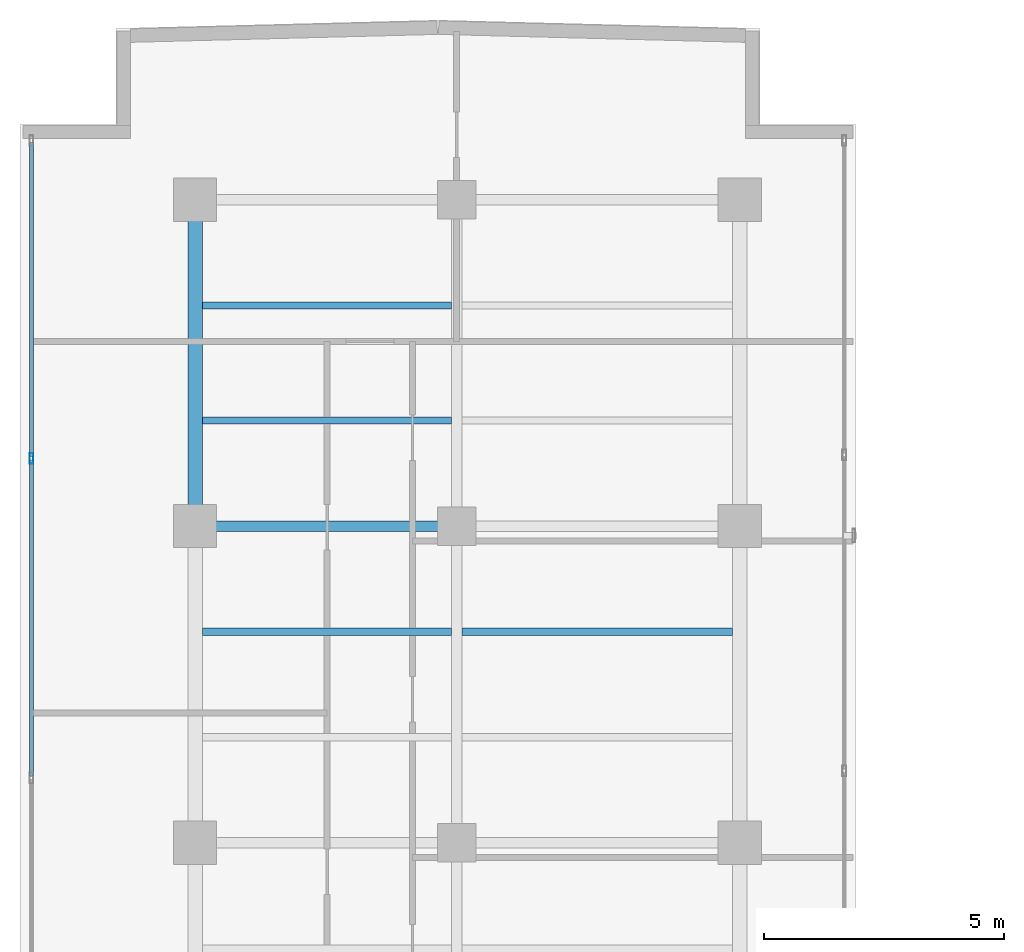
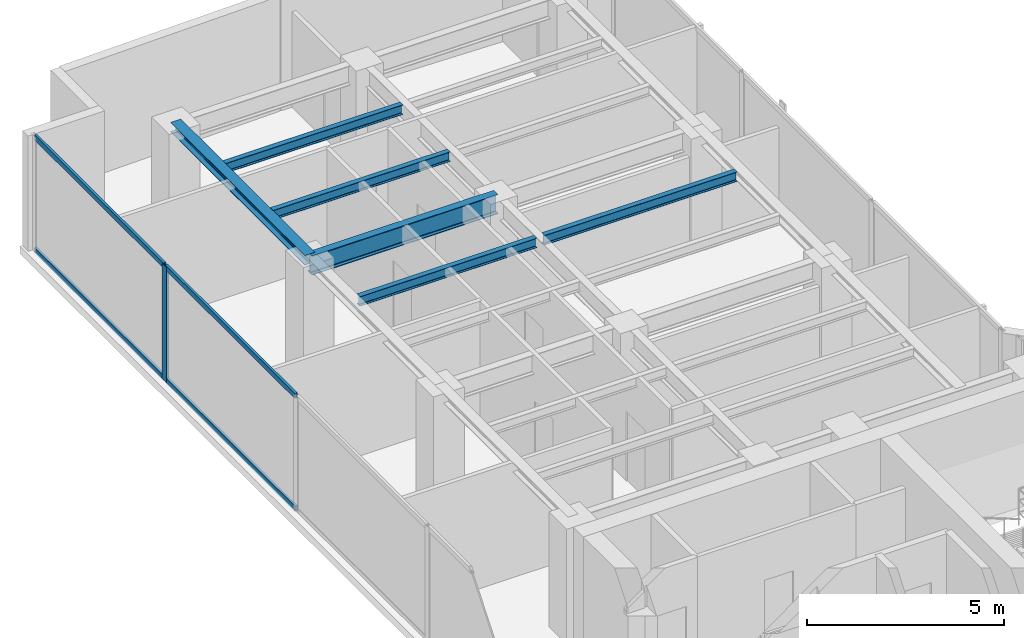
# One storey, part 13 of 22: 6 beams, 5 members, 1 element without a shape of its own.
"""IFC4 building model written with IfcOpenShell, lengths in metres."""

from ifc_helpers import new_model, si_unit, direction, frame, origin, origin_with_axes, origin_2d, place, context, subcontext, project, spatial, hollow_rectangle, i_section, extrude, source, transform, mapped, material, layer, layer_set, material_profile, profile_set, type_object, element, aggregate, save


model = new_model("IFC4")

# Units and contexts
model_context = context("Model", 3, precision=1e-05, world=origin(), true_north=direction((0.0, 1.0)))
body_context = subcontext(model_context, "Body", "Model", "MODEL_VIEW")
ifc_project = project(units=[si_unit("LENGTHUNIT", "METRE"), si_unit("AREAUNIT", "SQUARE_METRE"), si_unit("VOLUMEUNIT", "CUBIC_METRE"), si_unit("PLANEANGLEUNIT", "RADIAN"), si_unit("MASSUNIT", "GRAM", prefix="KILO")], contexts=[model_context])

# Site, building, storey
site_placement = place(None, origin())
site = spatial("IfcSite", under=ifc_project, at=site_placement, CompositionType="ELEMENT")
building_placement = place(site_placement, origin())
building = spatial("IfcBuilding", under=site, at=building_placement, Name="Kolvaren Waterfront Exchange", CompositionType="ELEMENT")
storey_placement = place(building_placement, frame((0.0, 0.0, 327.39990234375)))
storey = spatial("IfcBuildingStorey", under=building, at=storey_placement, Name="L84", CompositionType="ELEMENT", Elevation=327.39990234375)

# Beams
ifc_material_1 = material(Name="Steel S355", Category="steel")
ifc_material_profile_1 = material_profile(ifc_material_1, i_section(OverallWidth=0.300048828125, OverallDepth=0.300048828125, WebThickness=0.010986328125, FlangeThickness=0.01904296875, FilletRadius=0.027099609375, at=origin_2d()), Name="HEB300")
ifc_profile_set_1 = profile_set([ifc_material_profile_1], Name="Steel S355")
beam_type_1 = type_object("IfcBeamType", Name="STR-BM-HEB300", PredefinedType="SPANDREL", material=ifc_profile_set_1)
beam_1_placement = place(storey_placement, frame((7.449951171875, 37.800048828125, 3.41015625), z_axis=(0.0, 1.0, 0.0), x_axis=(-1.0, 0.0, 0.0)))
element("IfcBeam", 1, at=beam_1_placement, inside=storey, type_object=beam_type_1, Name="L84 north-arm edge beam 3", PredefinedType="SPANDREL", context=body_context, shape_type="SweptSolid", body=[
    extrude(i_section(OverallWidth=0.300048828125, OverallDepth=0.300048828125, WebThickness=0.010986328125, FlangeThickness=0.01904296875, FilletRadius=0.027099609375, at=origin_2d()), origin(), (0.0, 0.0, 1.0), 6.800048828125),
])
ifc_material_profile_2 = material_profile(ifc_material_1, i_section(OverallWidth=0.14990234375, OverallDepth=0.300048828125, WebThickness=0.007080078125, FlangeThickness=0.0107421875, FilletRadius=0.014892578125, at=origin_2d()), Name="IPE300")
ifc_profile_set_2 = profile_set([ifc_material_profile_2], Name="Steel S355")
beam_type_2 = type_object("IfcBeamType", Name="STR-BM-IPE300", PredefinedType="JOIST", material=ifc_profile_set_2)
beam_2_placement = place(storey_placement, frame((7.60205078125, 35.60009765625, 3.41015625), z_axis=(1.0, 0.0, 0.0), x_axis=(0.0, 1.0, 0.0)))
element("IfcBeam", 2, at=beam_2_placement, inside=storey, type_object=beam_type_2, Name="L84 north-arm composite joist 4A", PredefinedType="JOIST", context=body_context, shape_type="SweptSolid", body=[
    extrude(i_section(OverallWidth=0.14990234375, OverallDepth=0.300048828125, WebThickness=0.007080078125, FlangeThickness=0.0107421875, FilletRadius=0.014892578125, at=origin_2d()), origin(), (0.0, 0.0, 1.0), 5.18603515625),
])
beam_3_placement = place(storey_placement, frame((13.011962890625, 35.60009765625, 3.41015625), z_axis=(1.0, 0.0, 0.0), x_axis=(0.0, 1.0, 0.0)))
element("IfcBeam", 3, at=beam_3_placement, inside=storey, type_object=beam_type_2, Name="L84 north-arm composite joist 4B", PredefinedType="JOIST", context=body_context, shape_type="SweptSolid", body=[
    extrude(i_section(OverallWidth=0.14990234375, OverallDepth=0.300048828125, WebThickness=0.007080078125, FlangeThickness=0.0107421875, FilletRadius=0.014892578125, at=origin_2d()), origin(), (0.0, 0.0, 1.0), 5.635986328125),
])
for number, where, z_axis, x_axis, name in (
    (4, (7.60205078125, 40.0, 3.41015625), (1.0, 0.0, 0.0), (0.0, 1.0, 0.0), "L84 north-arm composite joist 5A"),
    (5, (7.60205078125, 42.39990234375, 3.41015625), (1.0, 0.0, 0.0), (0.0, 1.0, 0.0), "L84 north-arm composite joist 6A"),
):
    element("IfcBeam", number, at=place(storey_placement, frame(where, z_axis=z_axis, x_axis=x_axis)), inside=storey, type_object=beam_type_2, Name=name, PredefinedType="JOIST", context=body_context, shape_type="SweptSolid", body=[
        extrude(i_section(OverallWidth=0.14990234375, OverallDepth=0.300048828125, WebThickness=0.007080078125, FlangeThickness=0.0107421875, FilletRadius=0.014892578125, at=origin_2d()), origin(), (0.0, 0.0, 1.0), 5.18603515625),
    ])
ifc_material_profile_3 = material_profile(ifc_material_1, i_section(OverallWidth=0.219970703125, OverallDepth=0.60009765625, WebThickness=0.011962890625, FlangeThickness=0.01904296875, FilletRadius=0.02392578125, at=origin_2d()), Name="IPE600")
ifc_profile_set_3 = profile_set([ifc_material_profile_3], Name="Steel S355")
beam_type_3 = type_object("IfcBeamType", Name="STR-BM-IPE600", PredefinedType="BEAM", material=ifc_profile_set_3)
beam_4_placement = place(storey_placement, frame((7.449951171875, 37.800048828125, 3.260009765625), z_axis=(1.0, 0.0, 0.0), x_axis=(0.0, 1.0, 0.0)))
element("IfcBeam", 6, at=beam_4_placement, inside=storey, type_object=beam_type_3, Name="L84 north-arm girder 3A", PredefinedType="BEAM", context=body_context, shape_type="SweptSolid", body=[
    extrude(i_section(OverallWidth=0.219970703125, OverallDepth=0.60009765625, WebThickness=0.011962890625, FlangeThickness=0.01904296875, FilletRadius=0.02392578125, at=origin_2d()), origin(), (0.0, 0.0, 1.0), 5.449951171875),
])

# Curtain wall, members
ifc_material_2 = material(Name="Anodised aluminium 6063-T6", Category="aluminium")
ifc_layer = layer(ifc_material_2, 0.219970703125, Name="Anodised aluminium 6063-T6")
ifc_layer_set = layer_set([ifc_layer], Name="Anodised aluminium 6063-T6")
curtain_wall_type = type_object("IfcCurtainWallType", Name="ARC-CW-SYS2", PredefinedType="USERDEFINED", material=ifc_layer_set)
curtain_wall_placement = place(storey_placement, origin())
curtain_wall = element("IfcCurtainWall", 7, at=curtain_wall_placement, inside=storey, type_object=curtain_wall_type, Name="L84 stick curtain wall CW2 (CW-L84-W)", ObjectType="STICK CURTAIN WALL", PredefinedType="USERDEFINED")
ifc_material_profile_4 = material_profile(ifc_material_2, hollow_rectangle(XDim=0.080078125, YDim=0.219970703125, WallThickness=0.0048828125, at=origin_2d()), Name="ALU-MUL-220x80x5")
ifc_profile_set_4 = profile_set([ifc_material_profile_4], Name="Anodised aluminium 6063-T6")
member_type_1 = type_object("IfcMemberType", Name="ARC-CWM-220", PredefinedType="MULLION", material=ifc_profile_set_4)
shared_shape_1 = source(origin_with_axes(), body_context, "Body", "SweptSolid", [
    extrude(hollow_rectangle(XDim=0.080078125, YDim=0.219970703125, WallThickness=0.0048828125, at=origin_2d()), origin(), (0.0, 0.0, 1.0), 3.56005859375),
])
member_1_placement = place(storey_placement, frame((4.0400390625, 39.21142578125, 0.0), z_axis=(0.0, 0.0, 1.0), x_axis=(-1.0, 0.0, 0.0)))
member_1 = element("IfcMember", 8, at=member_1_placement, type_object=member_type_1, Name="CW2 mullion 6", PredefinedType="MULLION", context=body_context, shape_type="MappedRepresentation", body=[
    mapped(shared_shape_1, transform((0.0, 0.0, 0.0), x_axis=(1.0, 0.0, 0.0), y_axis=(0.0, 1.0, 0.0), z_axis=(0.0, 0.0, 1.0), scale=1.0)),
])
ifc_material_profile_5 = material_profile(ifc_material_2, hollow_rectangle(XDim=0.074951171875, YDim=0.159912109375, WallThickness=0.00439453125, at=origin_2d()), Name="ALU-TRN-160x75x4.5")
ifc_profile_set_5 = profile_set([ifc_material_profile_5], Name="Anodised aluminium 6063-T6")
member_type_2 = type_object("IfcMemberType", Name="ARC-CWT-160", PredefinedType="USERDEFINED", material=ifc_profile_set_5)
shared_shape_2 = source(origin_with_axes(), body_context, "Body", "SweptSolid", [
    extrude(hollow_rectangle(XDim=0.074951171875, YDim=0.159912109375, WallThickness=0.00439453125, at=origin_2d()), origin(), (0.0, 0.0, 1.0), 6.542236328125),
])
member_2_placement = place(storey_placement, frame((4.0400390625, 39.25146484375, 0.03759765625), z_axis=(0.0, 1.0, 0.0), x_axis=(-1.0, 0.0, 0.0)))
member_2 = element("IfcMember", 9, at=member_2_placement, type_object=member_type_2, Name="CW2 transom 6.1", ObjectType="TRANSOM", PredefinedType="USERDEFINED", context=body_context, shape_type="MappedRepresentation", body=[
    mapped(shared_shape_2, transform((0.0, 0.0, 0.0), x_axis=(1.0, 0.0, 0.0), y_axis=(0.0, 1.0, 0.0), z_axis=(0.0, 0.0, 1.0), scale=1.0)),
])
member_3_placement = place(storey_placement, frame((4.0400390625, 39.25146484375, 3.522705078125), z_axis=(0.0, 1.0, 0.0), x_axis=(-1.0, 0.0, 0.0)))
member_3 = element("IfcMember", 10, at=member_3_placement, type_object=member_type_2, Name="CW2 transom 6.2", ObjectType="TRANSOM", PredefinedType="USERDEFINED", context=body_context, shape_type="MappedRepresentation", body=[
    mapped(shared_shape_2, transform((0.0, 0.0, 0.0), x_axis=(1.0, 0.0, 0.0), y_axis=(0.0, 1.0, 0.0), z_axis=(0.0, 0.0, 1.0), scale=1.0)),
])
shared_shape_3 = source(origin_with_axes(), body_context, "Body", "SweptSolid", [
    extrude(hollow_rectangle(XDim=0.074951171875, YDim=0.159912109375, WallThickness=0.00439453125, at=origin_2d()), origin(), (0.0, 0.0, 1.0), 6.582275390625),
])
member_4_placement = place(storey_placement, frame((4.0400390625, 32.589111328125, 0.03759765625), z_axis=(0.0, 1.0, 0.0), x_axis=(-1.0, 0.0, 0.0)))
member_4 = element("IfcMember", 11, at=member_4_placement, type_object=member_type_2, Name="CW2 transom 5.1", ObjectType="TRANSOM", PredefinedType="USERDEFINED", context=body_context, shape_type="MappedRepresentation", body=[
    mapped(shared_shape_3, transform((0.0, 0.0, 0.0), x_axis=(1.0, 0.0, 0.0), y_axis=(0.0, 1.0, 0.0), z_axis=(0.0, 0.0, 1.0), scale=1.0)),
])
member_5_placement = place(storey_placement, frame((4.0400390625, 32.589111328125, 3.522705078125), z_axis=(0.0, 1.0, 0.0), x_axis=(-1.0, 0.0, 0.0)))
member_5 = element("IfcMember", 12, at=member_5_placement, type_object=member_type_2, Name="CW2 transom 5.2", ObjectType="TRANSOM", PredefinedType="USERDEFINED", context=body_context, shape_type="MappedRepresentation", body=[
    mapped(shared_shape_3, transform((0.0, 0.0, 0.0), x_axis=(1.0, 0.0, 0.0), y_axis=(0.0, 1.0, 0.0), z_axis=(0.0, 0.0, 1.0), scale=1.0)),
])
aggregate(curtain_wall, [member_1, member_4, member_5, member_2, member_3])

save(model, "model.ifc")
